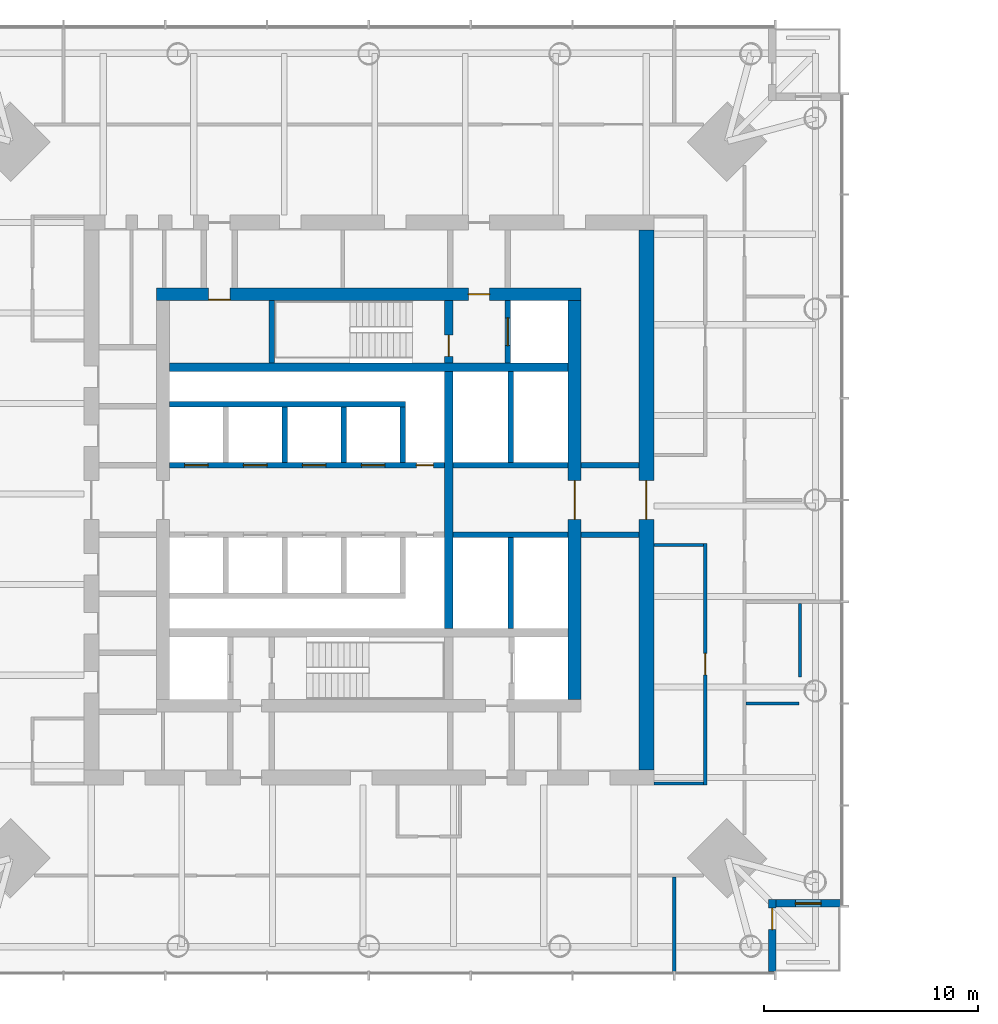
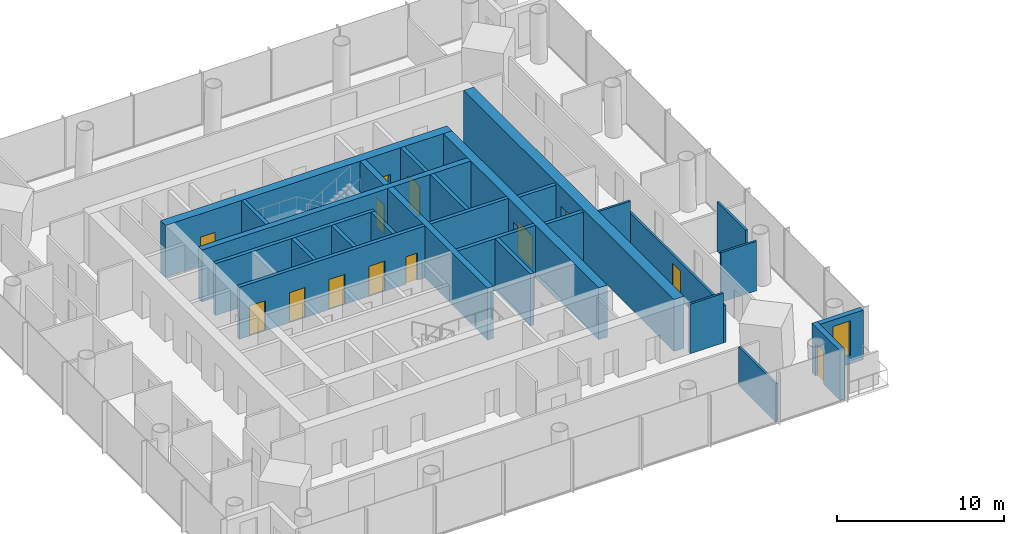
# One storey, part 10 of 19: 27 walls, 13 doors, 1 window, 14 openings.
"""IFC4 building model written with IfcOpenShell, lengths in metres."""

from ifc_helpers import new_model, si_unit, direction, frame, frame_2d, origin, place, context, subcontext, project, spatial, rectangle, extrude, material, layer, layer_set, type_object, element, fill, save


model = new_model("IFC4")

# Units and contexts
model_context = context("Model", 3, precision=1e-05, world=origin(), true_north=direction((0.0, 1.0)))
body_context = subcontext(model_context, "Body", "Model", "MODEL_VIEW")
ifc_project = project(units=[si_unit("LENGTHUNIT", "METRE"), si_unit("AREAUNIT", "SQUARE_METRE"), si_unit("VOLUMEUNIT", "CUBIC_METRE"), si_unit("PLANEANGLEUNIT", "RADIAN"), si_unit("MASSUNIT", "GRAM", prefix="KILO")], contexts=[model_context])

# Site, building, storey
site_placement = place(None, origin())
site = spatial("IfcSite", under=ifc_project, at=site_placement, CompositionType="ELEMENT")
building_placement = place(site_placement, origin())
building = spatial("IfcBuilding", under=site, at=building_placement, Name="Ostroluk Exchange", CompositionType="ELEMENT")
storey_placement = place(building_placement, frame((0.0, 0.0, 119.800048828125)))
storey = spatial("IfcBuildingStorey", under=building, at=storey_placement, Name="L30", CompositionType="ELEMENT", Elevation=119.800048828125)

# Walls
ifc_material_1 = material(Name="Concrete blockwork", Category="masonry")
ifc_layer_1 = layer(ifc_material_1, 0.25)
ifc_layer_set_1 = layer_set([ifc_layer_1], Name="Blockwork stair enclosure wall 250")
wall_type_1 = type_object("IfcWallType", Name="Blockwork stair enclosure wall 250", PredefinedType="SOLIDWALL", material=ifc_layer_set_1)
for number, where, z_axis, x_axis, name in (
    (1, (54.89990234375, 44.375, 0.0), (0.0, 0.0, 1.0), (1.0, 0.0, 0.0), "Lift lobby enclosure wall"),
    (2, (54.89990234375, 47.625, 0.0), (0.0, 0.0, 1.0), (1.0, 0.0, 0.0), "Lift lobby enclosure wall"),
):
    element("IfcWall", number, at=place(storey_placement, frame(where, z_axis=z_axis, x_axis=x_axis)), inside=storey, type_object=wall_type_1, Name=name, PredefinedType="SOLIDWALL", context=body_context, shape_type="SweptSolid", body=[
        extrude(rectangle(XDim=2.7001953125, YDim=0.25, at=frame_2d((1.35009765625, 0.0))), origin(), (0.0, 0.0, 1.0), 3.619873046875),
    ])
ifc_material_2 = material(Name="Concrete C50/60", Category="concrete")
ifc_layer_2 = layer(ifc_material_2, 0.39990234375)
ifc_layer_set_2 = layer_set([ifc_layer_2], Name="Core cross wall 400 C50/60")
wall_type_2 = type_object("IfcWallType", Name="Core cross wall 400 C50/60", PredefinedType="SHEAR", material=ifc_layer_set_2)
wall_1_placement = place(storey_placement, frame((35.699951171875, 52.199951171875, 0.0), z_axis=(0.0, 0.0, 1.0), x_axis=(1.0, 0.0, 0.0)))
element("IfcWall", 3, at=wall_1_placement, inside=storey, type_object=wall_type_2, Name="T1 core wall XN", PredefinedType="SHEAR", context=body_context, shape_type="SweptSolid", body=[
    extrude(rectangle(XDim=18.60009765625, YDim=0.39990234375, at=frame_2d((9.300048828125, 0.0))), origin(), (0.0, 0.0, 1.0), 3.800048828125),
])
wall_2_placement = place(storey_placement, frame((48.72998046875, 40.0, 0.0), z_axis=(0.0, 0.0, 1.0), x_axis=(0.0, 1.0, 0.0)))
element("IfcWall", 4, at=wall_2_placement, inside=storey, type_object=wall_type_2, Name="T1 core wall YE2", PredefinedType="SHEAR", context=body_context, shape_type="SweptSolid", body=[
    extrude(rectangle(XDim=12.0, YDim=0.39990234375, at=frame_2d((6.0, 0.0))), origin(), (0.0, 0.0, 1.0), 3.800048828125),
])

# Wall, opening, door
wall_3_placement = place(storey_placement, frame((48.72998046875, 52.39990234375, 0.0), z_axis=(0.0, 0.0, 1.0), x_axis=(0.0, 1.0, 0.0)))
wall_3 = element("IfcWall", 5, at=wall_3_placement, inside=storey, type_object=wall_type_2, Name="T1 core wall YE3", PredefinedType="SHEAR", context=body_context, shape_type="SweptSolid", body=[
    extrude(rectangle(XDim=2.900146484375, YDim=0.39990234375, at=frame_2d((1.4501953125, 0.0))), origin(), (0.0, 0.0, 1.0), 3.800048828125),
])
opening_1_placement = place(wall_3_placement, frame((0.300048828125, 0.0, 0.0)))
opening_1 = element("IfcOpeningElement", 6, at=opening_1_placement, cuts=wall_3, Name="Opening FD60", PredefinedType="OPENING", context=body_context, shape_type="SweptSolid", body=[
    extrude(rectangle(XDim=1.0, YDim=2.10009765625, at=frame_2d((0.5, 1.050048828125))), frame((0.0, 0.2099609375, 0.0), z_axis=(0.0, -1.0, 0.0), x_axis=(1.0, 0.0, 0.0)), (0.0, 0.0, 1.0), 0.419921875),
])
ifc_material_3 = material(Name="Steel", Category="steel")
door_type_1 = type_object("IfcDoorType", Name="Fire door EI 60 1000 x 2100", OperationType="SINGLE_SWING_LEFT", PredefinedType="DOOR", material=ifc_material_3)
door_1_placement = place(opening_1_placement, origin())
door_1 = element("IfcDoor", 7, at=door_1_placement, inside=storey, type_object=door_type_1, Name="Stair T1-S2 door", OperationType="SINGLE_SWING_LEFT", OverallHeight=2.10009765625, OverallWidth=1.0, PredefinedType="DOOR", context=body_context, shape_type="SweptSolid", body=[
    extrude(rectangle(XDim=1.0, YDim=2.10009765625, at=frame_2d((0.5, 1.050048828125))), frame((0.0, 0.02490234375, 0.0), z_axis=(0.0, -1.0, 0.0), x_axis=(1.0, 0.0, 0.0)), (0.0, 0.0, 1.0), 0.050048828125),
])
fill(opening_1, door_1)

# Wall
ifc_material_4 = material(Name="Concrete C40/50", Category="concrete")
ifc_layer_3 = layer(ifc_material_4, 0.25)
ifc_layer_set_3 = layer_set([ifc_layer_3], Name="Core shaft wall 250")
wall_type_3 = type_object("IfcWallType", Name="Core shaft wall 250", PredefinedType="SHEAR", material=ifc_layer_set_3)
wall_4_placement = place(storey_placement, frame((40.47509765625, 52.39990234375, 0.0), z_axis=(0.0, 0.0, 1.0), x_axis=(0.0, 1.0, 0.0)))
element("IfcWall", 8, at=wall_4_placement, inside=storey, type_object=wall_type_3, Name="Stair shaft wall", PredefinedType="SHEAR", context=body_context, shape_type="SweptSolid", body=[
    extrude(rectangle(XDim=2.900146484375, YDim=0.25, at=frame_2d((1.4501953125, 0.0))), origin(), (0.0, 0.0, 1.0), 3.800048828125),
])

# Wall, opening, door
wall_5_placement = place(storey_placement, frame((51.47509765625, 52.39990234375, 0.0), z_axis=(0.0, 0.0, 1.0), x_axis=(0.0, 1.0, 0.0)))
wall_5 = element("IfcWall", 9, at=wall_5_placement, inside=storey, type_object=wall_type_3, Name="Firefighting lift shaft wall", PredefinedType="SHEAR", context=body_context, shape_type="SweptSolid", body=[
    extrude(rectangle(XDim=2.900146484375, YDim=0.25, at=frame_2d((1.4501953125, 0.0))), origin(), (0.0, 0.0, 1.0), 3.800048828125),
])
opening_2_placement = place(wall_5_placement, frame((0.800048828125, 0.0, 0.0)))
opening_2 = element("IfcOpeningElement", 10, at=opening_2_placement, cuts=wall_5, Name="Opening LD2", PredefinedType="OPENING", context=body_context, shape_type="SweptSolid", body=[
    extrude(rectangle(XDim=1.300048828125, YDim=2.199951171875, at=frame_2d((0.64990234375, 1.10009765625))), frame((0.0, 0.135009765625, 0.0), z_axis=(0.0, -1.0, 0.0), x_axis=(1.0, 0.0, 0.0)), (0.0, 0.0, 1.0), 0.27001953125),
])
ifc_material_5 = material(Name="Stainless steel", Category="steel")
door_type_2 = type_object("IfcDoorType", Name="Lift landing door E 60 1300 x 2200", OperationType="DOUBLE_DOOR_SLIDING", PredefinedType="DOOR", material=ifc_material_5)
door_2_placement = place(opening_2_placement, origin())
door_2 = element("IfcDoor", 11, at=door_2_placement, inside=storey, type_object=door_type_2, Name="Lift FL2 landing door", OperationType="DOUBLE_DOOR_SLIDING", OverallHeight=2.199951171875, OverallWidth=1.300048828125, PredefinedType="DOOR", context=body_context, shape_type="SweptSolid", body=[
    extrude(rectangle(XDim=1.300048828125, YDim=2.199951171875, at=frame_2d((0.64990234375, 1.10009765625))), frame((0.0, 0.02490234375, 0.0), z_axis=(0.0, -1.0, 0.0), x_axis=(1.0, 0.0, 0.0)), (0.0, 0.0, 1.0), 0.050048828125),
])
fill(opening_2, door_2)

# Walls
for number, where, z_axis, x_axis, name in (
    (12, (41.074951171875, 47.75, 0.0), (0.0, 0.0, 1.0), (0.0, 1.0, 0.0), "Lift shaft wall"),
    (13, (43.824951171875, 47.75, 0.0), (0.0, 0.0, 1.0), (0.0, 1.0, 0.0), "Lift shaft wall"),
    (14, (46.574951171875, 47.75, 0.0), (0.0, 0.0, 1.0), (0.0, 1.0, 0.0), "Lift shaft wall"),
):
    element("IfcWall", number, at=place(storey_placement, frame(where, z_axis=z_axis, x_axis=x_axis)), inside=storey, type_object=wall_type_3, Name=name, PredefinedType="SHEAR", context=body_context, shape_type="SweptSolid", body=[
        extrude(rectangle(XDim=2.60009765625, YDim=0.25, at=frame_2d((1.300048828125, 0.0))), origin(), (0.0, 0.0, 1.0), 3.800048828125),
    ])
wall_6_placement = place(storey_placement, frame((35.699951171875, 50.47509765625, 0.0), z_axis=(0.0, 0.0, 1.0), x_axis=(1.0, 0.0, 0.0)))
element("IfcWall", 15, at=wall_6_placement, inside=storey, type_object=wall_type_3, Name="Lift shaft wall", PredefinedType="SHEAR", context=body_context, shape_type="SweptSolid", body=[
    extrude(rectangle(XDim=11.0, YDim=0.25, at=frame_2d((5.5, 0.0))), origin(), (0.0, 0.0, 1.0), 3.800048828125),
])

# Wall, openings, doors
wall_7_placement = place(storey_placement, frame((35.699951171875, 47.625, 0.0), z_axis=(0.0, 0.0, 1.0), x_axis=(1.0, 0.0, 0.0)))
wall_7 = element("IfcWall", 16, at=wall_7_placement, inside=storey, type_object=wall_type_3, Name="Lift shaft front wall", PredefinedType="SHEAR", context=body_context, shape_type="SweptSolid", body=[
    extrude(rectangle(XDim=12.830078125, YDim=0.25, at=frame_2d((6.4150390625, 0.0))), origin(), (0.0, 0.0, 1.0), 3.800048828125),
])
opening_3_placement = place(wall_7_placement, frame((0.699951171875, 0.0, 0.0)))
opening_3 = element("IfcOpeningElement", 17, at=opening_3_placement, cuts=wall_7, Name="Opening LD", PredefinedType="OPENING", context=body_context, shape_type="SweptSolid", body=[
    extrude(rectangle(XDim=1.10009765625, YDim=2.199951171875, at=frame_2d((0.550048828125, 1.10009765625))), frame((0.0, 0.135009765625, 0.0), z_axis=(0.0, -1.0, 0.0), x_axis=(1.0, 0.0, 0.0)), (0.0, 0.0, 1.0), 0.27001953125),
])
opening_4_placement = place(wall_7_placement, frame((3.449951171875, 0.0, 0.0)))
opening_4 = element("IfcOpeningElement", 18, at=opening_4_placement, cuts=wall_7, Name="Opening LD", PredefinedType="OPENING", context=body_context, shape_type="SweptSolid", body=[
    extrude(rectangle(XDim=1.10009765625, YDim=2.199951171875, at=frame_2d((0.550048828125, 1.10009765625))), frame((0.0, 0.135009765625, 0.0), z_axis=(0.0, -1.0, 0.0), x_axis=(1.0, 0.0, 0.0)), (0.0, 0.0, 1.0), 0.27001953125),
])
opening_5_placement = place(wall_7_placement, frame((6.199951171875, 0.0, 0.0)))
opening_5 = element("IfcOpeningElement", 19, at=opening_5_placement, cuts=wall_7, Name="Opening LD", PredefinedType="OPENING", context=body_context, shape_type="SweptSolid", body=[
    extrude(rectangle(XDim=1.10009765625, YDim=2.199951171875, at=frame_2d((0.550048828125, 1.10009765625))), frame((0.0, 0.135009765625, 0.0), z_axis=(0.0, -1.0, 0.0), x_axis=(1.0, 0.0, 0.0)), (0.0, 0.0, 1.0), 0.27001953125),
])
opening_6_placement = place(wall_7_placement, frame((8.949951171875, 0.0, 0.0)))
opening_6 = element("IfcOpeningElement", 20, at=opening_6_placement, cuts=wall_7, Name="Opening LD", PredefinedType="OPENING", context=body_context, shape_type="SweptSolid", body=[
    extrude(rectangle(XDim=1.10009765625, YDim=2.199951171875, at=frame_2d((0.550048828125, 1.10009765625))), frame((0.0, 0.135009765625, 0.0), z_axis=(0.0, -1.0, 0.0), x_axis=(1.0, 0.0, 0.0)), (0.0, 0.0, 1.0), 0.27001953125),
])
opening_7_placement = place(wall_7_placement, frame((11.514892578125, 0.0, 0.0)))
opening_7 = element("IfcOpeningElement", 21, at=opening_7_placement, cuts=wall_7, Name="Opening RD60", PredefinedType="OPENING", context=body_context, shape_type="SweptSolid", body=[
    extrude(rectangle(XDim=0.800048828125, YDim=2.0, at=frame_2d((0.39990234375, 1.0))), frame((0.0, 0.135009765625, 0.0), z_axis=(0.0, -1.0, 0.0), x_axis=(1.0, 0.0, 0.0)), (0.0, 0.0, 1.0), 0.27001953125),
])
ifc_material_6 = material(Name="Stainless steel", Category="steel")
door_type_3 = type_object("IfcDoorType", Name="Lift landing door E 60 1100 x 2200", OperationType="DOUBLE_DOOR_SLIDING", PredefinedType="DOOR", material=ifc_material_6)
door_3_placement = place(opening_3_placement, origin())
door_3 = element("IfcDoor", 22, at=door_3_placement, inside=storey, type_object=door_type_3, Name="Lift PL-M1 landing door", OperationType="DOUBLE_DOOR_SLIDING", OverallHeight=2.199951171875, OverallWidth=1.10009765625, PredefinedType="DOOR", context=body_context, shape_type="SweptSolid", body=[
    extrude(rectangle(XDim=1.10009765625, YDim=2.199951171875, at=frame_2d((0.550048828125, 1.10009765625))), frame((0.0, 0.02490234375, 0.0), z_axis=(0.0, -1.0, 0.0), x_axis=(1.0, 0.0, 0.0)), (0.0, 0.0, 1.0), 0.050048828125),
])
fill(opening_3, door_3)
door_4_placement = place(opening_4_placement, origin())
door_4 = element("IfcDoor", 23, at=door_4_placement, inside=storey, type_object=door_type_3, Name="Lift PL-M2 landing door", OperationType="DOUBLE_DOOR_SLIDING", OverallHeight=2.199951171875, OverallWidth=1.10009765625, PredefinedType="DOOR", context=body_context, shape_type="SweptSolid", body=[
    extrude(rectangle(XDim=1.10009765625, YDim=2.199951171875, at=frame_2d((0.550048828125, 1.10009765625))), frame((0.0, 0.02490234375, 0.0), z_axis=(0.0, -1.0, 0.0), x_axis=(1.0, 0.0, 0.0)), (0.0, 0.0, 1.0), 0.050048828125),
])
fill(opening_4, door_4)
door_5_placement = place(opening_5_placement, origin())
door_5 = element("IfcDoor", 24, at=door_5_placement, inside=storey, type_object=door_type_3, Name="Lift PL-M3 landing door", OperationType="DOUBLE_DOOR_SLIDING", OverallHeight=2.199951171875, OverallWidth=1.10009765625, PredefinedType="DOOR", context=body_context, shape_type="SweptSolid", body=[
    extrude(rectangle(XDim=1.10009765625, YDim=2.199951171875, at=frame_2d((0.550048828125, 1.10009765625))), frame((0.0, 0.02490234375, 0.0), z_axis=(0.0, -1.0, 0.0), x_axis=(1.0, 0.0, 0.0)), (0.0, 0.0, 1.0), 0.050048828125),
])
fill(opening_5, door_5)
door_6_placement = place(opening_6_placement, origin())
door_6 = element("IfcDoor", 25, at=door_6_placement, inside=storey, type_object=door_type_3, Name="Lift PL-M4 landing door", OperationType="DOUBLE_DOOR_SLIDING", OverallHeight=2.199951171875, OverallWidth=1.10009765625, PredefinedType="DOOR", context=body_context, shape_type="SweptSolid", body=[
    extrude(rectangle(XDim=1.10009765625, YDim=2.199951171875, at=frame_2d((0.550048828125, 1.10009765625))), frame((0.0, 0.02490234375, 0.0), z_axis=(0.0, -1.0, 0.0), x_axis=(1.0, 0.0, 0.0)), (0.0, 0.0, 1.0), 0.050048828125),
])
fill(opening_6, door_6)
ifc_material_7 = material(Name="Steel", Category="steel")
door_type_4 = type_object("IfcDoorType", Name="Riser access door EI 60 800 x 2000", OperationType="SINGLE_SWING_LEFT", PredefinedType="DOOR", material=ifc_material_7)
door_7_placement = place(opening_7_placement, origin())
door_7 = element("IfcDoor", 26, at=door_7_placement, inside=storey, type_object=door_type_4, Name="Riser access door", OperationType="SINGLE_SWING_RIGHT", OverallHeight=2.0, OverallWidth=0.800048828125, PredefinedType="DOOR", context=body_context, shape_type="SweptSolid", body=[
    extrude(rectangle(XDim=0.800048828125, YDim=2.0, at=frame_2d((0.39990234375, 1.0))), frame((0.0, 0.02490234375, 0.0), z_axis=(0.0, -1.0, 0.0), x_axis=(1.0, 0.0, 0.0)), (0.0, 0.0, 1.0), 0.050048828125),
])
fill(opening_7, door_7)

# Walls
wall_8_placement = place(storey_placement, frame((51.614990234375, 47.75, 0.0), z_axis=(0.0, 0.0, 1.0), x_axis=(0.0, 1.0, 0.0)))
element("IfcWall", 27, at=wall_8_placement, inside=storey, type_object=wall_type_3, Name="Lift shaft wall", PredefinedType="SHEAR", context=body_context, shape_type="SweptSolid", body=[
    extrude(rectangle(XDim=4.25, YDim=0.25, at=frame_2d((2.125, 0.0))), origin(), (0.0, 0.0, 1.0), 3.800048828125),
])
wall_9_placement = place(storey_placement, frame((48.929931640625, 47.625, 0.0), z_axis=(0.0, 0.0, 1.0), x_axis=(1.0, 0.0, 0.0)))
element("IfcWall", 28, at=wall_9_placement, inside=storey, type_object=wall_type_3, Name="Lift shaft front wall", PredefinedType="SHEAR", context=body_context, shape_type="SweptSolid", body=[
    extrude(rectangle(XDim=5.3701171875, YDim=0.25, at=frame_2d((2.68505859375, 0.0))), origin(), (0.0, 0.0, 1.0), 3.800048828125),
])
wall_10_placement = place(storey_placement, frame((51.614990234375, 44.25, 0.0), z_axis=(0.0, 0.0, 1.0), x_axis=(0.0, -1.0, 0.0)))
element("IfcWall", 29, at=wall_10_placement, inside=storey, type_object=wall_type_3, Name="Lift shaft wall", PredefinedType="SHEAR", context=body_context, shape_type="SweptSolid", body=[
    extrude(rectangle(XDim=4.25, YDim=0.25, at=frame_2d((2.125, 0.0))), origin(), (0.0, 0.0, 1.0), 3.800048828125),
])
wall_11_placement = place(storey_placement, frame((48.929931640625, 44.375, 0.0), z_axis=(0.0, 0.0, 1.0), x_axis=(1.0, 0.0, 0.0)))
element("IfcWall", 30, at=wall_11_placement, inside=storey, type_object=wall_type_3, Name="Lift shaft front wall", PredefinedType="SHEAR", context=body_context, shape_type="SweptSolid", body=[
    extrude(rectangle(XDim=5.3701171875, YDim=0.25, at=frame_2d((2.68505859375, 0.0))), origin(), (0.0, 0.0, 1.0), 3.800048828125),
])

# Wall, openings, doors
ifc_material_8 = material(Name="Concrete C50/60", Category="concrete")
ifc_layer_4 = layer(ifc_material_8, 0.60009765625)
ifc_layer_set_4 = layer_set([ifc_layer_4], Name="Core wall 600 C50/60")
wall_type_4 = type_object("IfcWallType", Name="Core wall 600 C50/60", PredefinedType="SHEAR", material=ifc_layer_set_4)
wall_12_placement = place(storey_placement, frame((35.10009765625, 55.60009765625, 0.0), z_axis=(0.0, 0.0, 1.0), x_axis=(1.0, 0.0, 0.0)))
wall_12 = element("IfcWall", 31, at=wall_12_placement, inside=storey, type_object=wall_type_4, Name="T1 core wall N", PredefinedType="SHEAR", context=body_context, shape_type="SweptSolid", body=[
    extrude(rectangle(XDim=19.7998046875, YDim=0.60009765625, at=frame_2d((9.89990234375, 0.0))), origin(), (0.0, 0.0, 1.0), 3.800048828125),
])
opening_8_placement = place(wall_12_placement, frame((14.5400390625, 0.0, 0.0)))
opening_8 = element("IfcOpeningElement", 32, at=opening_8_placement, cuts=wall_12, Name="Opening FD60", PredefinedType="OPENING", context=body_context, shape_type="SweptSolid", body=[
    extrude(rectangle(XDim=1.0, YDim=2.10009765625, at=frame_2d((0.5, 1.050048828125))), frame((0.0, 0.31005859375, 0.0), z_axis=(0.0, -1.0, 0.0), x_axis=(1.0, 0.0, 0.0)), (0.0, 0.0, 1.0), 0.6201171875),
])
opening_9_placement = place(wall_12_placement, frame((2.425048828125, 0.0, 0.0)))
opening_9 = element("IfcOpeningElement", 33, at=opening_9_placement, cuts=wall_12, Name="Opening FD60", PredefinedType="OPENING", context=body_context, shape_type="SweptSolid", body=[
    extrude(rectangle(XDim=1.0, YDim=2.10009765625, at=frame_2d((0.5, 1.050048828125))), frame((0.0, 0.31005859375, 0.0), z_axis=(0.0, -1.0, 0.0), x_axis=(1.0, 0.0, 0.0)), (0.0, 0.0, 1.0), 0.6201171875),
])
door_8_placement = place(opening_8_placement, origin())
door_8 = element("IfcDoor", 34, at=door_8_placement, inside=storey, type_object=door_type_1, Name="Firefighting lobby door", OperationType="SINGLE_SWING_RIGHT", OverallHeight=2.10009765625, OverallWidth=1.0, PredefinedType="DOOR", context=body_context, shape_type="SweptSolid", body=[
    extrude(rectangle(XDim=1.0, YDim=2.10009765625, at=frame_2d((0.5, 1.050048828125))), frame((0.0, 0.02490234375, 0.0), z_axis=(0.0, -1.0, 0.0), x_axis=(1.0, 0.0, 0.0)), (0.0, 0.0, 1.0), 0.050048828125),
])
fill(opening_8, door_8)
door_9_placement = place(opening_9_placement, origin())
door_9 = element("IfcDoor", 35, at=door_9_placement, inside=storey, type_object=door_type_1, Name="Tea point door", OperationType="SINGLE_SWING_LEFT", OverallHeight=2.10009765625, OverallWidth=1.0, PredefinedType="DOOR", context=body_context, shape_type="SweptSolid", body=[
    extrude(rectangle(XDim=1.0, YDim=2.10009765625, at=frame_2d((0.5, 1.050048828125))), frame((0.0, -0.23974609375, 0.0), z_axis=(0.0, -1.0, 0.0), x_axis=(1.0, 0.0, 0.0)), (0.0, 0.0, 1.0), 0.050048828125),
])
fill(opening_9, door_9)

# Wall, opening, door
wall_13_placement = place(storey_placement, frame((54.60009765625, 36.699951171875, 0.0), z_axis=(0.0, 0.0, 1.0), x_axis=(0.0, 1.0, 0.0)))
wall_13 = element("IfcWall", 36, at=wall_13_placement, inside=storey, type_object=wall_type_4, Name="T1 core wall E", PredefinedType="SHEAR", context=body_context, shape_type="SweptSolid", body=[
    extrude(rectangle(XDim=18.60009765625, YDim=0.60009765625, at=frame_2d((9.300048828125, 0.0))), origin(), (0.0, 0.0, 1.0), 3.800048828125),
])
opening_10_placement = place(wall_13_placement, frame((8.39990234375, 0.0, 0.0)))
opening_10 = element("IfcOpeningElement", 37, at=opening_10_placement, cuts=wall_13, Name="Opening FD30D", PredefinedType="OPENING", context=body_context, shape_type="SweptSolid", body=[
    extrude(rectangle(XDim=1.800048828125, YDim=2.39990234375, at=frame_2d((0.89990234375, 1.199951171875))), frame((0.0, 0.31005859375, 0.0), z_axis=(0.0, -1.0, 0.0), x_axis=(1.0, 0.0, 0.0)), (0.0, 0.0, 1.0), 0.6201171875),
])
ifc_material_9 = material(Name="Timber", Category="wood")
door_type_5 = type_object("IfcDoorType", Name="Lobby double door EI 30 1800 x 2400", OperationType="DOUBLE_DOOR_SINGLE_SWING", PredefinedType="DOOR", material=ifc_material_9)
door_10_placement = place(opening_10_placement, origin())
door_10 = element("IfcDoor", 38, at=door_10_placement, inside=storey, type_object=door_type_5, Name="Lift lobby doors", OperationType="DOUBLE_DOOR_SINGLE_SWING", OverallHeight=2.39990234375, OverallWidth=1.800048828125, PredefinedType="DOOR", context=body_context, shape_type="SweptSolid", body=[
    extrude(rectangle(XDim=1.800048828125, YDim=2.39990234375, at=frame_2d((0.89990234375, 1.199951171875))), frame((0.0, 0.02490234375, 0.0), z_axis=(0.0, -1.0, 0.0), x_axis=(1.0, 0.0, 0.0)), (0.0, 0.0, 1.0), 0.050048828125),
])
fill(opening_10, door_10)

ifc_material_10 = material(Name="Concrete C50/60", Category="concrete")
ifc_layer_5 = layer(ifc_material_10, 0.699951171875)
ifc_layer_set_5 = layer_set([ifc_layer_5], Name="Core wall 700 C50/60")
wall_type_5 = type_object("IfcWallType", Name="Core wall 700 C50/60", PredefinedType="SHEAR", material=ifc_layer_set_5)
wall_14_placement = place(storey_placement, frame((57.949951171875, 33.39990234375, 0.0), z_axis=(0.0, 0.0, 1.0), x_axis=(0.0, 1.0, 0.0)))
wall_14 = element("IfcWall", 39, at=wall_14_placement, inside=storey, type_object=wall_type_5, Name="T1 core wall RE", PredefinedType="SHEAR", context=body_context, shape_type="SweptSolid", body=[
    extrude(rectangle(XDim=25.2001953125, YDim=0.699951171875, at=frame_2d((12.60009765625, 0.0))), origin(), (0.0, 0.0, 1.0), 3.800048828125),
])
opening_11_placement = place(wall_14_placement, frame((11.699951171875, 0.0, 0.0)))
opening_11 = element("IfcOpeningElement", 40, at=opening_11_placement, cuts=wall_14, Name="Opening FD30D", PredefinedType="OPENING", context=body_context, shape_type="SweptSolid", body=[
    extrude(rectangle(XDim=1.800048828125, YDim=2.39990234375, at=frame_2d((0.89990234375, 1.199951171875))), frame((0.0, 0.35986328125, 0.0), z_axis=(0.0, -1.0, 0.0), x_axis=(1.0, 0.0, 0.0)), (0.0, 0.0, 1.0), 0.719970703125),
])
door_11_placement = place(opening_11_placement, origin())
door_11 = element("IfcDoor", 41, at=door_11_placement, inside=storey, type_object=door_type_5, Name="Lift lobby doors", OperationType="DOUBLE_DOOR_SINGLE_SWING", OverallHeight=2.39990234375, OverallWidth=1.800048828125, PredefinedType="DOOR", context=body_context, shape_type="SweptSolid", body=[
    extrude(rectangle(XDim=1.800048828125, YDim=2.39990234375, at=frame_2d((0.89990234375, 1.199951171875))), frame((0.0, 0.02490234375, 0.0), z_axis=(0.0, -1.0, 0.0), x_axis=(1.0, 0.0, 0.0)), (0.0, 0.0, 1.0), 0.050048828125),
])
fill(opening_11, door_11)

ifc_material_11 = material(Name="Limestone", Category="masonry")
ifc_layer_6 = layer(ifc_material_11, 0.35009765625)
ifc_layer_set_6 = layer_set([ifc_layer_6], Name="Limestone facade wall 350")
wall_type_6 = type_object("IfcWallType", Name="Limestone facade wall 350", PredefinedType="SOLIDWALL", material=ifc_layer_set_6)
wall_15_placement = place(storey_placement, frame((63.824951171875, 24.0, 0.0), z_axis=(0.0, 0.0, 1.0), x_axis=(0.0, 1.0, 0.0)))
wall_15 = element("IfcWall", 42, at=wall_15_placement, inside=storey, type_object=wall_type_6, Name="Office tower SE corner wall L30 a", PredefinedType="SOLIDWALL", context=body_context, shape_type="SweptSolid", body=[
    extrude(rectangle(XDim=3.35009765625, YDim=0.35009765625, at=frame_2d((1.675048828125, 0.0))), origin(), (0.0, 0.0, 1.0), 3.619873046875),
])
opening_12_placement = place(wall_15_placement, frame((1.949951171875, 0.0, 0.0)))
opening_12 = element("IfcOpeningElement", 43, at=opening_12_placement, cuts=wall_15, Name="Opening D-B1", PredefinedType="OPENING", context=body_context, shape_type="SweptSolid", body=[
    extrude(rectangle(XDim=1.0, YDim=2.39990234375, at=frame_2d((0.5, 1.199951171875))), frame((0.0, 0.18505859375, 0.0), z_axis=(0.0, -1.0, 0.0), x_axis=(1.0, 0.0, 0.0)), (0.0, 0.0, 1.0), 0.3701171875),
])
ifc_material_12 = material(Name="Bronze framed glazed door", Category="aluminium")
door_type_6 = type_object("IfcDoorType", Name="Balcony door 1000 x 2400", OperationType="SINGLE_SWING_LEFT", PredefinedType="DOOR", material=ifc_material_12)
door_12_placement = place(opening_12_placement, origin())
door_12 = element("IfcDoor", 44, at=door_12_placement, inside=storey, type_object=door_type_6, Name="Office tower SE balcony door L30", OperationType="SINGLE_SWING_RIGHT", OverallHeight=2.39990234375, OverallWidth=1.0, PredefinedType="DOOR", context=body_context, shape_type="SweptSolid", body=[
    extrude(rectangle(XDim=1.0, YDim=2.39990234375, at=frame_2d((0.5, 1.199951171875))), frame((0.0, 0.02490234375, 0.0), z_axis=(0.0, -1.0, 0.0), x_axis=(1.0, 0.0, 0.0)), (0.0, 0.0, 1.0), 0.050048828125),
])
fill(opening_12, door_12)

# Wall, opening, window
wall_16_placement = place(storey_placement, frame((64.0, 27.175048828125, 0.0), z_axis=(0.0, 0.0, 1.0), x_axis=(1.0, 0.0, 0.0)))
wall_16 = element("IfcWall", 45, at=wall_16_placement, inside=storey, type_object=wall_type_6, Name="Office tower SE corner wall L30 b", PredefinedType="SOLIDWALL", context=body_context, shape_type="SweptSolid", body=[
    extrude(rectangle(XDim=3.0, YDim=0.35009765625, at=frame_2d((1.5, 0.0))), origin(), (0.0, 0.0, 1.0), 3.619873046875),
])
opening_13_placement = place(wall_16_placement, frame((0.89990234375, 0.0, 0.60009765625)))
opening_13 = element("IfcOpeningElement", 46, at=opening_13_placement, cuts=wall_16, Name="Opening WN-L1", PredefinedType="OPENING", context=body_context, shape_type="SweptSolid", body=[
    extrude(rectangle(XDim=1.199951171875, YDim=2.550048828125, at=frame_2d((0.60009765625, 1.27490234375))), frame((0.0, 0.18505859375, 0.0), z_axis=(0.0, -1.0, 0.0), x_axis=(1.0, 0.0, 0.0)), (0.0, 0.0, 1.0), 0.3701171875),
])
ifc_material_13 = material(Name="Laminated clear glass", Category="glass")
window_type = type_object("IfcWindowType", Name="Lancet window 1200 x 2550", PartitioningType="SINGLE_PANEL", PredefinedType="WINDOW", material=ifc_material_13)
window_placement = place(opening_13_placement, origin())
window = element("IfcWindow", 47, at=window_placement, inside=storey, type_object=window_type, Name="Office tower SE lancet window L30", OverallHeight=2.550048828125, OverallWidth=1.199951171875, PartitioningType="SINGLE_PANEL", PredefinedType="WINDOW", context=body_context, shape_type="SweptSolid", body=[
    extrude(rectangle(XDim=1.199951171875, YDim=2.550048828125, at=frame_2d((0.60009765625, 1.27490234375))), frame((0.0, 0.030029296875, 0.0), z_axis=(0.0, -1.0, 0.0), x_axis=(1.0, 0.0, 0.0)), (0.0, 0.0, 1.0), 0.06005859375),
])
fill(opening_13, window)

# Wall, opening, door
ifc_material_14 = material(Name="Gypsum plasterboard partition", Category="gypsum")
ifc_layer_7 = layer(ifc_material_14, 0.14990234375)
ifc_layer_set_7 = layer_set([ifc_layer_7], Name="Plasterboard partition 150")
wall_type_7 = type_object("IfcWallType", Name="Plasterboard partition 150", PredefinedType="PARTITIONING", material=ifc_layer_set_7)
wall_17_placement = place(storey_placement, frame((60.699951171875, 32.699951171875, 0.0), z_axis=(0.0, 0.0, 1.0), x_axis=(0.0, 1.0, 0.0)))
wall_17 = element("IfcWall", 48, at=wall_17_placement, inside=storey, type_object=wall_type_7, Name="Partition", PredefinedType="PARTITIONING", context=body_context, shape_type="SweptSolid", body=[
    extrude(rectangle(XDim=11.275146484375, YDim=0.14990234375, at=frame_2d((5.6376953125, 0.0))), origin(), (0.0, 0.0, 1.0), 2.719970703125),
])
opening_14_placement = place(wall_17_placement, frame((5.137451171875, 0.0, 0.0)))
opening_14 = element("IfcOpeningElement", 49, at=opening_14_placement, cuts=wall_17, Name="Opening D-03", PredefinedType="OPENING", context=body_context, shape_type="SweptSolid", body=[
    extrude(rectangle(XDim=1.0, YDim=2.10009765625, at=frame_2d((0.5, 1.050048828125))), frame((0.0, 0.0849609375, 0.0), z_axis=(0.0, -1.0, 0.0), x_axis=(1.0, 0.0, 0.0)), (0.0, 0.0, 1.0), 0.169921875),
])
ifc_material_15 = material(Name="Timber", Category="wood")
door_type_7 = type_object("IfcDoorType", Name="Internal door 1000 x 2100", OperationType="SINGLE_SWING_LEFT", PredefinedType="DOOR", material=ifc_material_15)
door_13_placement = place(opening_14_placement, origin())
door_13 = element("IfcDoor", 50, at=door_13_placement, inside=storey, type_object=door_type_7, Name="Interview room door", OperationType="SINGLE_SWING_RIGHT", OverallHeight=2.10009765625, OverallWidth=1.0, PredefinedType="DOOR", context=body_context, shape_type="SweptSolid", body=[
    extrude(rectangle(XDim=1.0, YDim=2.10009765625, at=frame_2d((0.5, 1.050048828125))), frame((0.0, 0.02490234375, 0.0), z_axis=(0.0, -1.0, 0.0), x_axis=(1.0, 0.0, 0.0)), (0.0, 0.0, 1.0), 0.050048828125),
])
fill(opening_14, door_13)

# Walls
for number, where, z_axis, x_axis, name in (
    (51, (58.300048828125, 32.77490234375, 0.0), (0.0, 0.0, 1.0), (1.0, 0.0, 0.0), "Partition"),
    (52, (58.300048828125, 43.89990234375, 0.0), (0.0, 0.0, 1.0), (1.0, 0.0, 0.0), "Partition"),
):
    element("IfcWall", number, at=place(storey_placement, frame(where, z_axis=z_axis, x_axis=x_axis)), inside=storey, type_object=wall_type_7, Name=name, PredefinedType="PARTITIONING", context=body_context, shape_type="SweptSolid", body=[
        extrude(rectangle(XDim=2.324951171875, YDim=0.14990234375, at=frame_2d((1.16259765625, 0.0))), origin(), (0.0, 0.0, 1.0), 3.619873046875),
    ])
wall_18_placement = place(storey_placement, frame((65.125, 37.740234375, 0.0), z_axis=(0.0, 0.0, 1.0), x_axis=(0.0, 1.0, 0.0)))
element("IfcWall", 53, at=wall_18_placement, inside=storey, type_object=wall_type_7, Name="Partition", PredefinedType="PARTITIONING", context=body_context, shape_type="SweptSolid", body=[
    extrude(rectangle(XDim=3.434814453125, YDim=0.14990234375, at=frame_2d((1.71728515625, 0.0))), origin(), (0.0, 0.0, 1.0), 3.619873046875),
])
wall_19_placement = place(storey_placement, frame((62.60009765625, 36.5, 0.0), z_axis=(0.0, 0.0, 1.0), x_axis=(1.0, 0.0, 0.0)))
element("IfcWall", 54, at=wall_19_placement, inside=storey, type_object=wall_type_7, Name="Partition", PredefinedType="PARTITIONING", context=body_context, shape_type="SweptSolid", body=[
    extrude(rectangle(XDim=2.46484375, YDim=0.14990234375, at=frame_2d((1.232421875, 0.0))), origin(), (0.0, 0.0, 1.0), 3.619873046875),
])
wall_20_placement = place(storey_placement, frame((59.25, 28.39990234375, 0.0), z_axis=(0.0, 0.0, 1.0), x_axis=(0.0, -1.0, 0.0)))
element("IfcWall", 55, at=wall_20_placement, inside=storey, type_object=wall_type_7, Name="Partition", PredefinedType="PARTITIONING", context=body_context, shape_type="SweptSolid", body=[
    extrude(rectangle(XDim=4.43994140625, YDim=0.14990234375, at=frame_2d((2.219970703125, 0.0))), origin(), (0.0, 0.0, 1.0), 2.820068359375),
])

save(model, "model.ifc")
